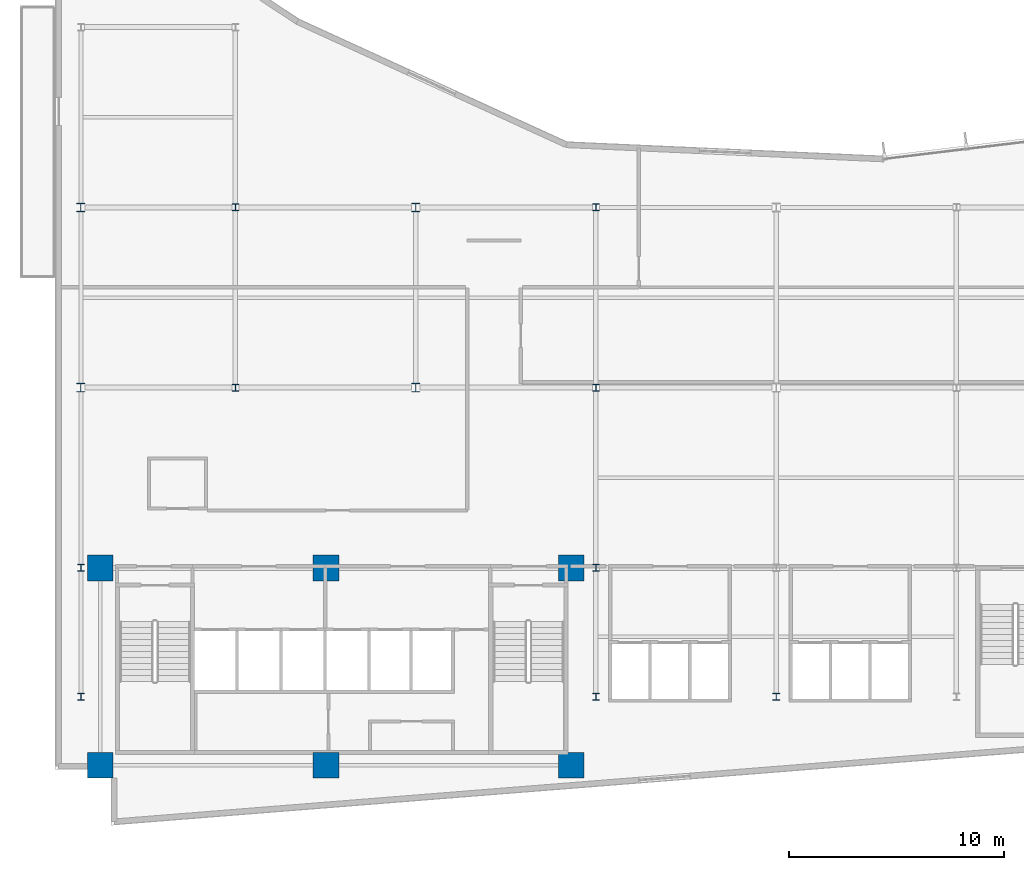
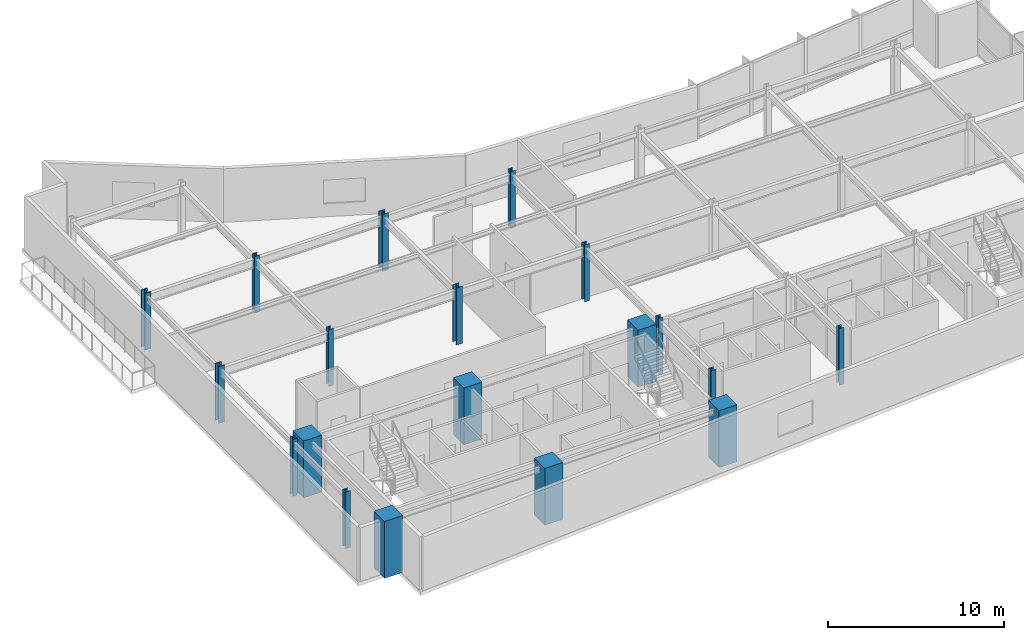
# One storey, part 1 of 17: 19 columns.
"""IFC4 building model written with IfcOpenShell, lengths in metres."""

from ifc_helpers import new_model, si_unit, direction, frame, origin, origin_2d, place, context, subcontext, project, spatial, rectangle, i_section, extrude, material, material_profile, profile_set, type_object, element, save


model = new_model("IFC4")

# Units and contexts
model_context = context("Model", 3, precision=1e-05, world=origin(), true_north=direction((0.0, 1.0)))
body_context = subcontext(model_context, "Body", "Model", "MODEL_VIEW")
ifc_project = project(units=[si_unit("LENGTHUNIT", "METRE"), si_unit("AREAUNIT", "SQUARE_METRE"), si_unit("VOLUMEUNIT", "CUBIC_METRE"), si_unit("PLANEANGLEUNIT", "RADIAN"), si_unit("MASSUNIT", "GRAM", prefix="KILO")], contexts=[model_context])

# Site, building, storey
site_placement = place(None, origin())
site = spatial("IfcSite", under=ifc_project, at=site_placement, CompositionType="ELEMENT")
building_placement = place(site_placement, origin())
building = spatial("IfcBuilding", under=site, at=building_placement, Name="Varnakote Quay Hospital", CompositionType="ELEMENT")
storey_placement = place(building_placement, frame((0.0, 0.0, 103.35009765625)))
storey = spatial("IfcBuildingStorey", under=building, at=storey_placement, Name="L25", CompositionType="ELEMENT", Elevation=103.35009765625)

# Columns
ifc_material_1 = material(Name="Concrete N80 (f'c 80 MPa)", Category="concrete")
ifc_material_profile_1 = material_profile(ifc_material_1, rectangle(XDim=1.199951171875, YDim=1.199951171875, at=origin_2d()), Name="RC-COL-1200x1200")
ifc_profile_set_1 = profile_set([ifc_material_profile_1], Name="Concrete N80 (f'c 80 MPa)")
column_type_1 = type_object("IfcColumnType", Name="COL-RC-1200", PredefinedType="COLUMN", material=ifc_profile_set_1)
for number, where, z_axis, x_axis, name in (
    (1, (2.10009765625, 2.800048828125, 0.0), (0.0, 0.0, 1.0), (1.0, 0.0, 0.0), "L25 Structural Column C-2-3"),
    (2, (12.6201171875, 2.800048828125, 0.0), (0.0, 0.0, 1.0), (1.0, 0.0, 0.0), "L25 Structural Column C-13-3"),
    (3, (24.050048828125, 2.800048828125, 0.0), (0.0, 0.0, 1.0), (1.0, 0.0, 0.0), "L25 Structural Column C-24-3"),
    (4, (2.10009765625, 12.0, 0.0), (0.0, 0.0, 1.0), (1.0, 0.0, 0.0), "L25 Structural Column C-2-12"),
    (5, (12.6201171875, 12.0, 0.0), (0.0, 0.0, 1.0), (1.0, 0.0, 0.0), "L25 Structural Column C-13-12"),
    (6, (24.050048828125, 12.0, 0.0), (0.0, 0.0, 1.0), (1.0, 0.0, 0.0), "L25 Structural Column C-24-12"),
):
    element("IfcColumn", number, at=place(storey_placement, frame(where, z_axis=z_axis, x_axis=x_axis)), inside=storey, type_object=column_type_1, Name=name, PredefinedType="COLUMN", context=body_context, shape_type="SweptSolid", body=[
        extrude(rectangle(XDim=1.199951171875, YDim=1.199951171875, at=origin_2d()), origin(), (0.0, 0.0, 1.0), 3.949951171875),
    ])
ifc_material_2 = material(Name="Structural steel AS/NZS 3679.1 Grade 350 L0 (fy 340 MPa)", Category="steel")
ifc_material_profile_2 = material_profile(ifc_material_2, i_section(OverallWidth=0.30908203125, OverallDepth=0.321044921875, WebThickness=0.013916015625, FlangeThickness=0.021728515625, FilletRadius=0.0166015625, at=origin_2d()), Name="310UC137")
ifc_profile_set_2 = profile_set([ifc_material_profile_2], Name="Structural steel AS/NZS 3679.1 Grade 350 L0 (fy 340 MPa)")
column_type_2 = type_object("IfcColumnType", Name="COL-STL-310UC137", PredefinedType="COLUMN", material=ifc_profile_set_2)
for number, where, z_axis, x_axis, name in (
    (7, (1.199951171875, 6.0, 0.0), (0.0, 0.0, 1.0), (1.0, 0.0, 0.0), "L25 Structural Column C-1-6"),
    (8, (25.199951171875, 6.0, 0.0), (0.0, 0.0, 1.0), (1.0, 0.0, 0.0), "L25 Structural Column C-25-6"),
    (9, (33.60009765625, 6.0, 0.0), (0.0, 0.0, 1.0), (1.0, 0.0, 0.0), "L25 Structural Column C-34-6"),
    (10, (1.199951171875, 12.0, 0.0), (0.0, 0.0, 1.0), (1.0, 0.0, 0.0), "L25 Structural Column C-1-12"),
    (11, (25.199951171875, 12.0, 0.0), (0.0, 0.0, 1.0), (1.0, 0.0, 0.0), "L25 Structural Column C-25-12"),
    (12, (8.39990234375, 20.39990234375, 0.0), (0.0, 0.0, 1.0), (1.0, 0.0, 0.0), "L25 Structural Column C-8-20"),
    (13, (25.199951171875, 20.39990234375, 0.0), (0.0, 0.0, 1.0), (1.0, 0.0, 0.0), "L25 Structural Column C-25-20"),
    (14, (8.39990234375, 28.800048828125, 0.0), (0.0, 0.0, 1.0), (1.0, 0.0, 0.0), "L25 Structural Column C-8-29"),
    (15, (25.199951171875, 28.800048828125, 0.0), (0.0, 0.0, 1.0), (1.0, 0.0, 0.0), "L25 Structural Column C-25-29"),
):
    element("IfcColumn", number, at=place(storey_placement, frame(where, z_axis=z_axis, x_axis=x_axis)), inside=storey, type_object=column_type_2, Name=name, PredefinedType="COLUMN", context=body_context, shape_type="SweptSolid", body=[
        extrude(i_section(OverallWidth=0.30908203125, OverallDepth=0.321044921875, WebThickness=0.013916015625, FlangeThickness=0.021728515625, FilletRadius=0.0166015625, at=origin_2d()), origin(), (0.0, 0.0, 1.0), 3.949951171875),
    ])
ifc_material_3 = material(Name="Structural steel AS/NZS 3678 Grade 350 (fy 340 MPa)", Category="steel")
ifc_material_profile_3 = material_profile(ifc_material_3, i_section(OverallWidth=0.39990234375, OverallDepth=0.419921875, WebThickness=0.02490234375, FlangeThickness=0.0400390625, at=origin_2d()), Name="400WC328")
ifc_profile_set_3 = profile_set([ifc_material_profile_3], Name="Structural steel AS/NZS 3678 Grade 350 (fy 340 MPa)")
column_type_3 = type_object("IfcColumnType", Name="COL-STL-400WC328", PredefinedType="COLUMN", material=ifc_profile_set_3)
for number, where, z_axis, x_axis, name in (
    (16, (1.199951171875, 20.39990234375, 0.0), (0.0, 0.0, 1.0), (1.0, 0.0, 0.0), "L25 Structural Column C-1-20"),
    (17, (16.800048828125, 20.39990234375, 0.0), (0.0, 0.0, 1.0), (1.0, 0.0, 0.0), "L25 Structural Column C-17-20"),
    (18, (1.199951171875, 28.800048828125, 0.0), (0.0, 0.0, 1.0), (1.0, 0.0, 0.0), "L25 Structural Column C-1-29"),
    (19, (16.800048828125, 28.800048828125, 0.0), (0.0, 0.0, 1.0), (1.0, 0.0, 0.0), "L25 Structural Column C-17-29"),
):
    element("IfcColumn", number, at=place(storey_placement, frame(where, z_axis=z_axis, x_axis=x_axis)), inside=storey, type_object=column_type_3, Name=name, PredefinedType="COLUMN", context=body_context, shape_type="SweptSolid", body=[
        extrude(i_section(OverallWidth=0.39990234375, OverallDepth=0.419921875, WebThickness=0.02490234375, FlangeThickness=0.0400390625, at=origin_2d()), origin(), (0.0, 0.0, 1.0), 3.949951171875),
    ])

save(model, "model.ifc")
